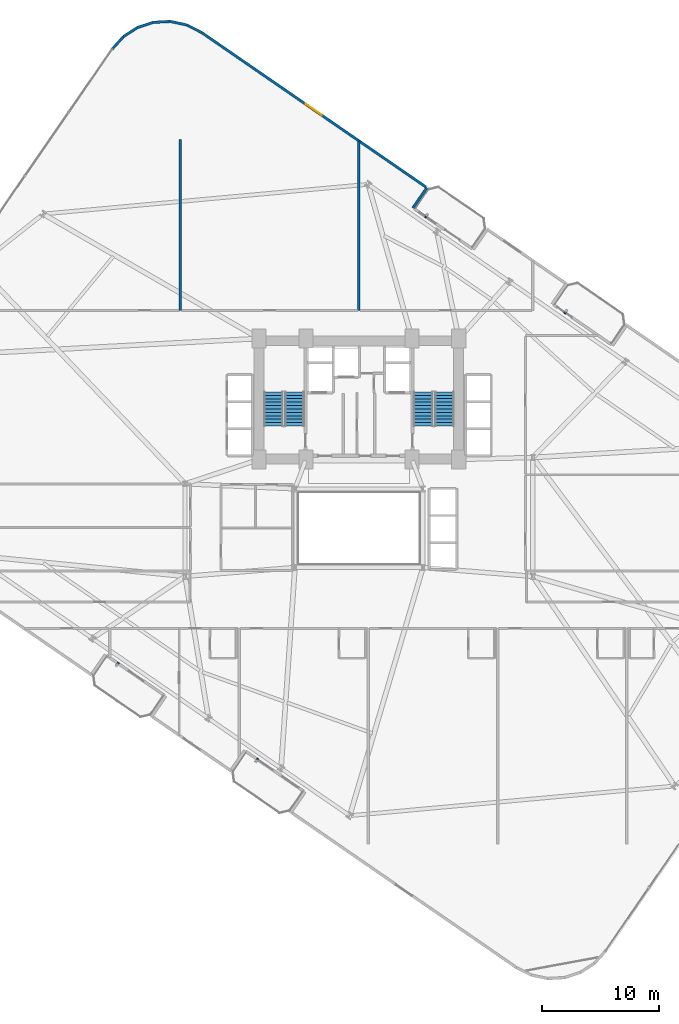
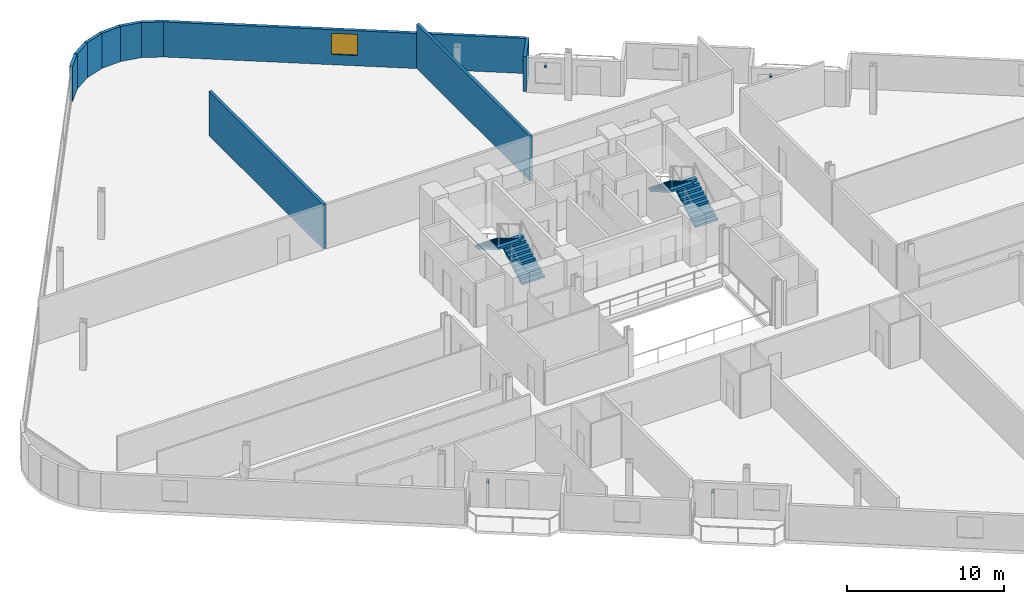
# One storey, part 23 of 26: 10 walls, 4 discrete accessories, 4 stair flights, 1 window, 1 opening, 2 elements without a shape of their own.
"""IFC4 building model written with IfcOpenShell, lengths in metres."""

from ifc_helpers import new_model, si_unit, direction, frame, frame_2d, origin, origin_2d, place, context, subcontext, project, spatial, polyline, rectangle, outline, extrude, source, transform, mapped, material, layer, layer_set, type_object, element, fill, aggregate, save


model = new_model("IFC4")

# Units and contexts
model_context = context("Model", 3, precision=1e-05, world=origin(), true_north=direction((0.0, 1.0)))
body_context = subcontext(model_context, "Body", "Model", "MODEL_VIEW")
ifc_project = project(units=[si_unit("LENGTHUNIT", "METRE"), si_unit("AREAUNIT", "SQUARE_METRE"), si_unit("VOLUMEUNIT", "CUBIC_METRE"), si_unit("PLANEANGLEUNIT", "RADIAN"), si_unit("MASSUNIT", "GRAM", prefix="KILO")], contexts=[model_context])

# Site, building, storey
site_placement = place(None, origin())
site = spatial("IfcSite", under=ifc_project, at=site_placement, CompositionType="ELEMENT")
building_placement = place(site_placement, origin())
building = spatial("IfcBuilding", under=site, at=building_placement, Name="Varnelok Gate Tower", CompositionType="ELEMENT")
storey_placement = place(building_placement, frame((0.0, 0.0, 45.5)))
storey = spatial("IfcBuildingStorey", under=building, at=storey_placement, Name="L10", CompositionType="ELEMENT", Elevation=45.5)

# Wall
ifc_material_1 = material(Name="Concrete C45/55", Category="concrete")
ifc_layer_1 = layer(ifc_material_1, 0.219970703125)
ifc_layer_set_1 = layer_set([ifc_layer_1], Name="Concrete C45/55")
wall_type_1 = type_object("IfcWallType", Name="EW-BALC-220", PredefinedType="SOLIDWALL", material=ifc_layer_set_1)
wall_1_placement = place(storey_placement, frame((43.793701171875, 50.161376953125, 0.0), z_axis=(0.0, 0.0, 1.0), x_axis=(0.567352541689, 0.823475010816, 0.0)))
element("IfcWall", 1, at=wall_1_placement, inside=storey, type_object=wall_type_1, Name="L10 Perimeter Facade Closure Wall 31", PredefinedType="SOLIDWALL", context=body_context, shape_type="SweptSolid", body=[
    extrude(rectangle(XDim=2.099853515625, YDim=0.219970703125, at=frame_2d((1.0498046875, 0.0))), origin(), (0.0, 0.0, 1.0), 2.72998046875),
])

# Wall, opening, window
wall_2_placement = place(storey_placement, frame((44.882080078125, 51.961669921875, 0.0), z_axis=(0.0, 0.0, 1.0), x_axis=(-0.823534427573, 0.567266292497, 0.0)))
wall_2 = element("IfcWall", 2, at=wall_2_placement, inside=storey, type_object=wall_type_1, Name="L10 Perimeter Facade Closure Wall 32", PredefinedType="SOLIDWALL", context=body_context, shape_type="SweptSolid", body=[
    extrude(rectangle(XDim=23.147216796875, YDim=0.219970703125, at=frame_2d((11.57373046875, 0.0))), origin(), (0.0, 0.0, 1.0), 2.72998046875),
])
opening_placement = place(wall_2_placement, frame((10.74853515625, 0.0, 0.800048828125)))
opening = element("IfcOpeningElement", 3, at=opening_placement, cuts=wall_2, Name="Opening WN3", PredefinedType="OPENING", context=body_context, shape_type="SweptSolid", body=[
    extrude(rectangle(XDim=1.64990234375, YDim=1.64990234375, at=frame_2d((0.824951171875, 0.824951171875))), frame((0.0, 0.119873046875, 0.0), z_axis=(0.0, -1.0, 0.0), x_axis=(1.0, 0.0, 0.0)), (0.0, 0.0, 1.0), 0.239990234375),
])
ifc_material_2 = material(Name="Low-E Laminated Double Glazing IGU", Category="glass")
window_type = type_object("IfcWindowType", Name="WN-HTL-1650", PartitioningType="SINGLE_PANEL", PredefinedType="WINDOW", material=ifc_material_2)
window_placement = place(opening_placement, origin())
window = element("IfcWindow", 4, at=window_placement, inside=storey, type_object=window_type, Name="L10 Perimeter Vision Window 32", OverallHeight=1.64990234375, OverallWidth=1.64990234375, PartitioningType="SINGLE_PANEL", PredefinedType="WINDOW", context=body_context, shape_type="SweptSolid", body=[
    extrude(rectangle(XDim=1.64990234375, YDim=1.64990234375, at=frame_2d((0.824951171875, 0.824951171875))), frame((0.0, 0.030029296875, 0.0), z_axis=(0.0, -1.0, 0.0), x_axis=(1.0, 0.0, 0.0)), (0.0, 0.0, 1.0), 0.06005859375),
])
fill(opening, window)

# Walls
wall_3_placement = place(storey_placement, frame((25.79736328125, 65.103759765625, 0.0), z_axis=(0.0, 0.0, 1.0), x_axis=(-0.890559109247, 0.454867533394, 0.0)))
element("IfcWall", 5, at=wall_3_placement, inside=storey, type_object=wall_type_1, Name="L10 Perimeter Facade Closure Wall 33", PredefinedType="SOLIDWALL", context=body_context, shape_type="SweptSolid", body=[
    extrude(rectangle(XDim=1.4130859375, YDim=0.219970703125, at=frame_2d((0.70654296875, 0.0))), origin(), (0.0, 0.0, 1.0), 2.72998046875),
])
for number, where, z_axis, x_axis, name in (
    (6, (24.514404296875, 65.751953125, 0.0), (0.0, 0.0, 1.0), (-0.977952168511, 0.208829011645, 0.0), "L10 Perimeter Facade Closure Wall 34"),
    (7, (23.114990234375, 66.044189453125, 0.0), (0.0, 0.0, 1.0), (-0.998685611917, -0.051254741739, 0.0), "L10 Perimeter Facade Closure Wall 35"),
    (8, (21.68798828125, 65.96435546875, 0.0), (0.0, 0.0, 1.0), (-0.951375653596, -0.308033059501, 0.0), "L10 Perimeter Facade Closure Wall 36"),
    (9, (20.330078125, 65.517822265625, 0.0), (0.0, 0.0, 1.0), (-0.839327688057, -0.543625819899, 0.0), "L10 Perimeter Facade Closure Wall 37"),
    (10, (19.1337890625, 64.735107421875, 0.0), (0.0, 0.0, 1.0), (-0.669952842826, -0.742403655964, 0.0), "L10 Perimeter Facade Closure Wall 38"),
):
    element("IfcWall", number, at=place(storey_placement, frame(where, z_axis=z_axis, x_axis=x_axis)), inside=storey, type_object=wall_type_1, Name=name, PredefinedType="SOLIDWALL", context=body_context, shape_type="SweptSolid", body=[
        extrude(rectangle(XDim=1.4052734375, YDim=0.219970703125, at=frame_2d((0.70263671875, 0.0))), origin(), (0.0, 0.0, 1.0), 2.72998046875),
    ])
ifc_material_3 = material(Name="Gypsum Plasterboard Acoustic Partition", Category="gypsum")
ifc_layer_2 = layer(ifc_material_3, 0.205078125)
ifc_layer_set_2 = layer_set([ifc_layer_2], Name="Gypsum Plasterboard Acoustic Partition")
wall_type_2 = type_object("IfcWallType", Name="PW-PARTY-200", PredefinedType="PARTITIONING", material=ifc_layer_set_2)
wall_4_placement = place(storey_placement, frame((24.0, 41.429931640625, 0.0), z_axis=(0.0, 0.0, 1.0), x_axis=(0.0, 1.0, 0.0)))
element("IfcWall", 11, at=wall_4_placement, inside=storey, type_object=wall_type_2, Name="L10 North Party Wall 1", PredefinedType="PARTITIONING", context=body_context, shape_type="SweptSolid", body=[
    extrude(rectangle(XDim=14.570068359375, YDim=0.205078125, at=frame_2d((7.28515625, 0.0))), origin(), (0.0, 0.0, 1.0), 3.449951171875),
])
wall_5_placement = place(storey_placement, frame((39.199951171875, 41.429931640625, 0.0), z_axis=(0.0, 0.0, 1.0), x_axis=(0.0, 1.0, 0.0)))
element("IfcWall", 12, at=wall_5_placement, inside=storey, type_object=wall_type_2, Name="L10 North Party Wall 2", PredefinedType="PARTITIONING", context=body_context, shape_type="SweptSolid", body=[
    extrude(rectangle(XDim=14.42138671875, YDim=0.205078125, at=frame_2d((7.210693359375, 0.0))), origin(), (0.0, 0.0, 1.0), 3.449951171875),
])

# Stair, stair flights
ifc_material_4 = material(Name="Concrete C50/60", Category="concrete")
stair_type = type_object("IfcStairType", Name="STR-CORE-1650", PredefinedType="HALF_TURN_STAIR", material=ifc_material_4)
stair_1_placement = place(storey_placement, origin())
stair_1 = element("IfcStair", 13, at=stair_1_placement, inside=storey, type_object=stair_type, Name="L10 Exit Stair ST-1", PredefinedType="HALF_TURN_STAIR")
stair_flight_type = type_object("IfcStairFlightType", Name="SFL-CORE-1650", PredefinedType="STRAIGHT", material=ifc_material_4)
stair_flight_1_placement = place(storey_placement, frame((33.72509765625, 31.60009765625, 0.0), z_axis=(0.0, 0.0, 1.0), x_axis=(0.0, 1.0, 0.0)))
stair_flight_1 = element("IfcStairFlight", 14, at=stair_flight_1_placement, type_object=stair_flight_type, Name="ST-1 flight 1", NumberOfRisers=11, NumberOfTreads=10, PredefinedType="STRAIGHT", RiserHeight=0.168181818, TreadLength=0.29, context=body_context, shape_type="SweptSolid", body=[
    extrude(outline(polyline([(0.0, 0.0), (0.0, 0.168212890625), (0.2900390625, 0.168212890625), (0.2900390625, 0.33642578125), (0.580078125, 0.33642578125), (0.580078125, 0.504638671875), (0.8701171875, 0.504638671875), (0.8701171875, 0.672607421875), (1.159912109375, 0.672607421875), (1.159912109375, 0.8408203125), (1.449951171875, 0.8408203125), (1.449951171875, 1.009033203125), (1.739990234375, 1.009033203125), (1.739990234375, 1.17724609375), (2.030029296875, 1.17724609375), (2.030029296875, 1.345458984375), (2.320068359375, 1.345458984375), (2.320068359375, 1.513671875), (2.610107421875, 1.513671875), (2.610107421875, 1.681884765625), (2.89990234375, 1.681884765625), (2.89990234375, 1.85009765625), (2.89990234375, 1.508544921875), (0.298828125, 0.0), (0.0, 0.0)])), frame((0.0, 0.824951171875, 0.0), z_axis=(0.0, -1.0, 0.0), x_axis=(1.0, 0.0, 0.0)), (0.0, 0.0, 1.0), 1.64990234375),
])
stair_flight_2_placement = place(storey_placement, frame((31.925048828125, 34.5, 1.85009765625), z_axis=(0.0, 0.0, 1.0), x_axis=(0.0, -1.0, 0.0)))
stair_flight_2 = element("IfcStairFlight", 15, at=stair_flight_2_placement, type_object=stair_flight_type, Name="ST-1 flight 2", NumberOfRisers=11, NumberOfTreads=10, PredefinedType="STRAIGHT", RiserHeight=0.168181818, TreadLength=0.29, context=body_context, shape_type="SweptSolid", body=[
    extrude(outline(polyline([(0.0, 0.0), (0.0, 0.168212890625), (0.2900390625, 0.168212890625), (0.2900390625, 0.33642578125), (0.580078125, 0.33642578125), (0.580078125, 0.504638671875), (0.8701171875, 0.504638671875), (0.8701171875, 0.672607421875), (1.159912109375, 0.672607421875), (1.159912109375, 0.8408203125), (1.449951171875, 0.8408203125), (1.449951171875, 1.009033203125), (1.739990234375, 1.009033203125), (1.739990234375, 1.17724609375), (2.030029296875, 1.17724609375), (2.030029296875, 1.345458984375), (2.320068359375, 1.345458984375), (2.320068359375, 1.513671875), (2.610107421875, 1.513671875), (2.610107421875, 1.681884765625), (2.89990234375, 1.681884765625), (2.89990234375, 1.85009765625), (2.89990234375, 1.508544921875), (0.298828125, 0.0), (0.0, 0.0)])), frame((0.0, 0.824951171875, 0.0), z_axis=(0.0, -1.0, 0.0), x_axis=(1.0, 0.0, 0.0)), (0.0, 0.0, 1.0), 1.64990234375),
])
aggregate(stair_1, [stair_flight_1, stair_flight_2])

stair_2_placement = place(storey_placement, origin())
stair_2 = element("IfcStair", 16, at=stair_2_placement, inside=storey, type_object=stair_type, Name="L10 Exit Stair ST-2", PredefinedType="HALF_TURN_STAIR")
stair_flight_3_placement = place(storey_placement, frame((46.47509765625, 31.60009765625, 0.0), z_axis=(0.0, 0.0, 1.0), x_axis=(0.0, 1.0, 0.0)))
stair_flight_3 = element("IfcStairFlight", 17, at=stair_flight_3_placement, type_object=stair_flight_type, Name="ST-2 flight 1", NumberOfRisers=11, NumberOfTreads=10, PredefinedType="STRAIGHT", RiserHeight=0.168181818, TreadLength=0.29, context=body_context, shape_type="SweptSolid", body=[
    extrude(outline(polyline([(0.0, 0.0), (0.0, 0.168212890625), (0.2900390625, 0.168212890625), (0.2900390625, 0.33642578125), (0.580078125, 0.33642578125), (0.580078125, 0.504638671875), (0.8701171875, 0.504638671875), (0.8701171875, 0.672607421875), (1.159912109375, 0.672607421875), (1.159912109375, 0.8408203125), (1.449951171875, 0.8408203125), (1.449951171875, 1.009033203125), (1.739990234375, 1.009033203125), (1.739990234375, 1.17724609375), (2.030029296875, 1.17724609375), (2.030029296875, 1.345458984375), (2.320068359375, 1.345458984375), (2.320068359375, 1.513671875), (2.610107421875, 1.513671875), (2.610107421875, 1.681884765625), (2.89990234375, 1.681884765625), (2.89990234375, 1.85009765625), (2.89990234375, 1.508544921875), (0.298828125, 0.0), (0.0, 0.0)])), frame((0.0, 0.824951171875, 0.0), z_axis=(0.0, -1.0, 0.0), x_axis=(1.0, 0.0, 0.0)), (0.0, 0.0, 1.0), 1.64990234375),
])
stair_flight_4_placement = place(storey_placement, frame((44.675048828125, 34.5, 1.85009765625), z_axis=(0.0, 0.0, 1.0), x_axis=(0.0, -1.0, 0.0)))
stair_flight_4 = element("IfcStairFlight", 18, at=stair_flight_4_placement, type_object=stair_flight_type, Name="ST-2 flight 2", NumberOfRisers=11, NumberOfTreads=10, PredefinedType="STRAIGHT", RiserHeight=0.168181818, TreadLength=0.29, context=body_context, shape_type="SweptSolid", body=[
    extrude(outline(polyline([(0.0, 0.0), (0.0, 0.168212890625), (0.2900390625, 0.168212890625), (0.2900390625, 0.33642578125), (0.580078125, 0.33642578125), (0.580078125, 0.504638671875), (0.8701171875, 0.504638671875), (0.8701171875, 0.672607421875), (1.159912109375, 0.672607421875), (1.159912109375, 0.8408203125), (1.449951171875, 0.8408203125), (1.449951171875, 1.009033203125), (1.739990234375, 1.009033203125), (1.739990234375, 1.17724609375), (2.030029296875, 1.17724609375), (2.030029296875, 1.345458984375), (2.320068359375, 1.345458984375), (2.320068359375, 1.513671875), (2.610107421875, 1.513671875), (2.610107421875, 1.681884765625), (2.89990234375, 1.681884765625), (2.89990234375, 1.85009765625), (2.89990234375, 1.508544921875), (0.298828125, 0.0), (0.0, 0.0)])), frame((0.0, 0.824951171875, 0.0), z_axis=(0.0, -1.0, 0.0), x_axis=(1.0, 0.0, 0.0)), (0.0, 0.0, 1.0), 1.64990234375),
])
aggregate(stair_2, [stair_flight_3, stair_flight_4])

# Discrete accessories
ifc_material_5 = material(Name="Structural Steel ASTM A500 Grade C", Category="steel")
discrete_accessory_type = type_object("IfcDiscreteAccessoryType", Name="ACC-BAGUETTE-BRK", PredefinedType="BRACKET", material=ifc_material_5)
shared_shape = source(origin(), body_context, "Body", "SweptSolid", [
    extrude(rectangle(XDim=0.159912109375, YDim=0.340087890625, at=origin_2d()), origin(), (0.0, 0.0, 1.0), 0.139892578125),
])
for number, where, z_axis, x_axis, name in (
    (19, (18.64453125, 11.32421875, 1.97998046875), (0.0, 0.0, 1.0), (0.823532597628, -0.567268949127, 0.0), "L10 Terracotta Baguette Bracket 1.1"),
    (20, (30.50341796875, 3.155517578125, 1.97998046875), (0.0, 0.0, 1.0), (0.823532597628, -0.567268949127, 0.0), "L10 Terracotta Baguette Bracket 2.1"),
    (21, (44.931884765625, 49.48681640625, 1.97998046875), (0.0, 0.0, 1.0), (0.823532597628, -0.567268949127, 0.0), "L10 Terracotta Baguette Bracket 3.1"),
    (22, (56.790771484375, 41.318115234375, 1.97998046875), (0.0, 0.0, 1.0), (0.823532597628, -0.567268949127, 0.0), "L10 Terracotta Baguette Bracket 4.1"),
):
    element("IfcDiscreteAccessory", number, at=place(storey_placement, frame(where, z_axis=z_axis, x_axis=x_axis)), inside=storey, type_object=discrete_accessory_type, Name=name, PredefinedType="BRACKET", context=body_context, shape_type="MappedRepresentation", body=[
        mapped(shared_shape, transform((0.0, 0.0, 0.0), scale=1.0)),
    ])

save(model, "model.ifc")
